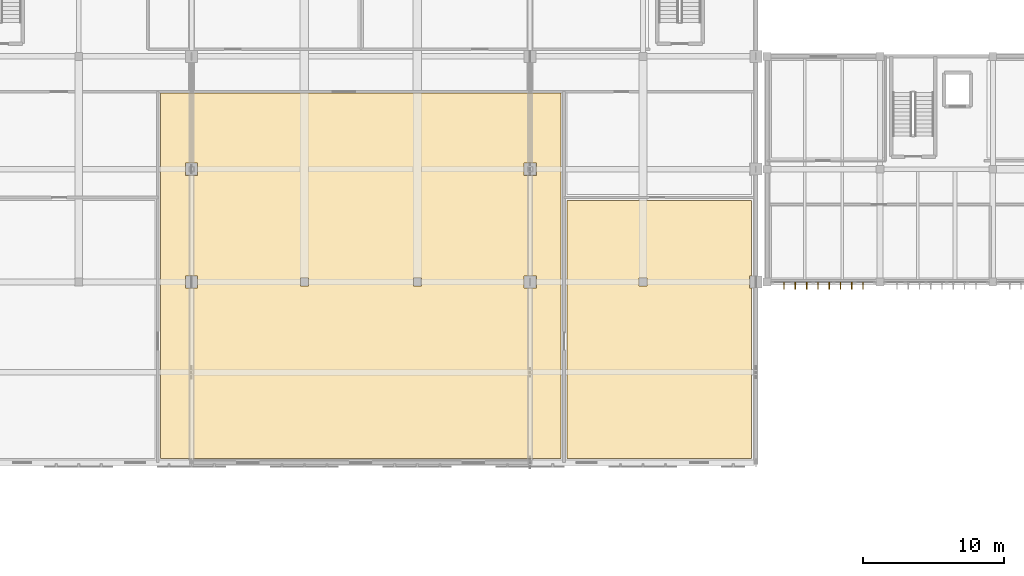
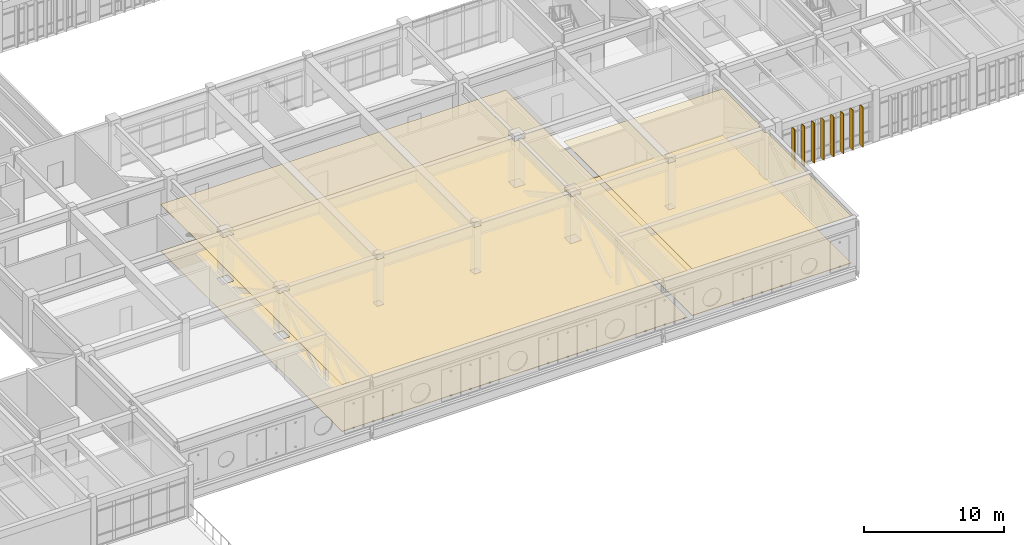
# One storey, part 69 of 79: 8 shading devices, 4 coverings.
"""IFC4 building model written with IfcOpenShell, lengths in metres."""

from ifc_helpers import new_model, si_unit, direction, frame, origin, origin_2d, place, context, subcontext, project, spatial, polyline, rectangle, outline, extrude, material, layer, layer_set, type_object, element, save


model = new_model("IFC4")

# Units and contexts
model_context = context("Model", 3, precision=1e-05, world=origin(), true_north=direction((0.0, 1.0)))
body_context = subcontext(model_context, "Body", "Model", "MODEL_VIEW")
ifc_project = project(units=[si_unit("LENGTHUNIT", "METRE"), si_unit("AREAUNIT", "SQUARE_METRE"), si_unit("VOLUMEUNIT", "CUBIC_METRE"), si_unit("PLANEANGLEUNIT", "RADIAN"), si_unit("MASSUNIT", "GRAM", prefix="KILO")], contexts=[model_context])

# Site, building, storey
site_placement = place(None, origin())
site = spatial("IfcSite", under=ifc_project, at=site_placement, CompositionType="ELEMENT")
building_placement = place(site_placement, origin())
building = spatial("IfcBuilding", under=site, at=building_placement, Name="Tlaxcora Railside Police Headquarters", CompositionType="ELEMENT")
storey_placement = place(building_placement, frame((0.0, 0.0, 9.0)))
storey = spatial("IfcBuildingStorey", under=building, at=storey_placement, Name="L02", CompositionType="ELEMENT", Elevation=9.0)

# Coverings
ifc_material_1 = material(Name="Mineral-fibre acoustic ceiling tile")
ifc_layer_1 = layer(ifc_material_1, 0.034912109375, Name="Mineral-fibre acoustic ceiling tile")
ifc_layer_set_1 = layer_set([ifc_layer_1], Name="Mineral-fibre acoustic ceiling tile")
covering_type_1 = type_object("IfcCoveringType", Name="Acoustic Suspended Ceiling CLG-01", PredefinedType="CEILING", material=ifc_layer_set_1)
covering_1_placement = place(storey_placement, frame((0.0, 0.0, 4.06494140625)))
element("IfcCovering", 1, at=covering_1_placement, inside=storey, type_object=covering_type_1, Name="C5 Metropolitan Command and Control Room suspended ceiling", PredefinedType="CEILING", context=body_context, shape_type="SweptSolid", body=[
    extrude(outline(polyline([(88.199951171875, 23.5), (88.199951171875, 49.39990234375), (59.800048828125, 49.39990234375), (59.800048828125, 23.5), (88.199951171875, 23.5)]), holes=[polyline([(62.43505859375, 36.43505859375), (62.43505859375, 35.56494140625), (61.56494140625, 35.56494140625), (61.56494140625, 36.43505859375), (62.43505859375, 36.43505859375)]), polyline([(62.43505859375, 43.56494140625), (61.56494140625, 43.56494140625), (61.56494140625, 44.43505859375), (62.43505859375, 44.43505859375), (62.43505859375, 43.56494140625)]), polyline([(69.715087890625, 35.715087890625), (69.715087890625, 36.284912109375), (70.284912109375, 36.284912109375), (70.284912109375, 35.715087890625), (69.715087890625, 35.715087890625)]), polyline([(77.715087890625, 36.284912109375), (78.284912109375, 36.284912109375), (78.284912109375, 35.715087890625), (77.715087890625, 35.715087890625), (77.715087890625, 36.284912109375)]), polyline([(86.43505859375, 36.43505859375), (86.43505859375, 35.56494140625), (85.56494140625, 35.56494140625), (85.56494140625, 36.43505859375), (86.43505859375, 36.43505859375)]), polyline([(86.43505859375, 43.56494140625), (85.56494140625, 43.56494140625), (85.56494140625, 44.43505859375), (86.43505859375, 44.43505859375), (86.43505859375, 43.56494140625)])]), origin(), (0.0, 0.0, 1.0), 0.03515625),
])
covering_2_placement = place(storey_placement, frame((0.0, 0.0, 4.06494140625)))
element("IfcCovering", 2, at=covering_2_placement, inside=storey, type_object=covering_type_1, Name="Emergency 911 Call-Taking Dispatch Suite suspended ceiling", PredefinedType="CEILING", context=body_context, shape_type="SweptSolid", body=[
    extrude(outline(polyline([(101.699951171875, 23.5), (101.699951171875, 35.56494140625), (101.56494140625, 35.56494140625), (101.56494140625, 36.43505859375), (101.699951171875, 36.43505859375), (101.699951171875, 41.800048828125), (88.60009765625, 41.800048828125), (88.60009765625, 23.5), (101.699951171875, 23.5)]), holes=[polyline([(94.284912109375, 36.284912109375), (94.284912109375, 35.715087890625), (93.715087890625, 35.715087890625), (93.715087890625, 36.284912109375), (94.284912109375, 36.284912109375)])]), origin(), (0.0, 0.0, 1.0), 0.03515625),
])

# Shading devices
ifc_material_2 = material(Name="Anodised aluminium framing", Category="aluminium")
ifc_layer_2 = layer(ifc_material_2, 0.054931640625, Name="Anodised aluminium framing")
ifc_layer_set_2 = layer_set([ifc_layer_2], Name="Anodised aluminium framing")
shading_device_type = type_object("IfcShadingDeviceType", Name="Solar Control Fin SF-01", PredefinedType="JALOUSIE", material=ifc_layer_set_2)
for number, where, z_axis, x_axis, name in (
    (3, (104.0, 35.739990234375, 0.0400390625), (0.0, 0.0, 1.0), (0.0, -1.0, 0.0), "Vertical solar fin 968"),
    (4, (104.800048828125, 35.739990234375, 0.0400390625), (0.0, 0.0, 1.0), (0.0, -1.0, 0.0), "Vertical solar fin 969"),
    (5, (105.60009765625, 35.739990234375, 0.0400390625), (0.0, 0.0, 1.0), (0.0, -1.0, 0.0), "Vertical solar fin 970"),
    (6, (106.39990234375, 35.739990234375, 0.0400390625), (0.0, 0.0, 1.0), (0.0, -1.0, 0.0), "Vertical solar fin 971"),
    (7, (107.199951171875, 35.739990234375, 0.0400390625), (0.0, 0.0, 1.0), (0.0, -1.0, 0.0), "Vertical solar fin 972"),
    (8, (108.0, 35.739990234375, 0.0400390625), (0.0, 0.0, 1.0), (0.0, -1.0, 0.0), "Vertical solar fin 973"),
    (9, (108.800048828125, 35.739990234375, 0.0400390625), (0.0, 0.0, 1.0), (0.0, -1.0, 0.0), "Vertical solar fin 974"),
    (10, (109.60009765625, 35.739990234375, 0.0400390625), (0.0, 0.0, 1.0), (0.0, -1.0, 0.0), "Vertical solar fin 975"),
):
    element("IfcShadingDevice", number, at=place(storey_placement, frame(where, z_axis=z_axis, x_axis=x_axis)), inside=storey, type_object=shading_device_type, Name=name, PredefinedType="JALOUSIE", context=body_context, shape_type="SweptSolid", body=[
        extrude(rectangle(XDim=0.47998046875, YDim=0.054931640625, at=origin_2d()), origin(), (0.0, 0.0, 1.0), 3.489990234375),
    ])

# Coverings
ifc_material_3 = material(Name="Heavy-duty resin and raised-access technical flooring")
ifc_layer_3 = layer(ifc_material_3, 0.0400390625, Name="Heavy-duty resin and raised-access technical flooring")
ifc_layer_set_3 = layer_set([ifc_layer_3], Name="Heavy-duty resin and raised-access technical flooring")
covering_type_2 = type_object("IfcCoveringType", Name="Technical Raised Access Flooring FLR-01", PredefinedType="FLOORING", material=ifc_layer_set_3)
covering_3_placement = place(storey_placement, origin())
element("IfcCovering", 11, at=covering_3_placement, inside=storey, type_object=covering_type_2, Name="C5 Metropolitan Command and Control Room technical floor finish", PredefinedType="FLOORING", context=body_context, shape_type="SweptSolid", body=[
    extrude(outline(polyline([(88.199951171875, 23.5), (88.199951171875, 49.39990234375), (59.800048828125, 49.39990234375), (59.800048828125, 23.5), (88.199951171875, 23.5)]), holes=[polyline([(62.43505859375, 36.43505859375), (62.43505859375, 35.56494140625), (61.56494140625, 35.56494140625), (61.56494140625, 36.43505859375), (62.43505859375, 36.43505859375)]), polyline([(62.43505859375, 43.56494140625), (61.56494140625, 43.56494140625), (61.56494140625, 44.43505859375), (62.43505859375, 44.43505859375), (62.43505859375, 43.56494140625)]), polyline([(69.715087890625, 35.715087890625), (69.715087890625, 36.284912109375), (70.284912109375, 36.284912109375), (70.284912109375, 35.715087890625), (69.715087890625, 35.715087890625)]), polyline([(77.715087890625, 36.284912109375), (78.284912109375, 36.284912109375), (78.284912109375, 35.715087890625), (77.715087890625, 35.715087890625), (77.715087890625, 36.284912109375)]), polyline([(86.43505859375, 36.43505859375), (86.43505859375, 35.56494140625), (85.56494140625, 35.56494140625), (85.56494140625, 36.43505859375), (86.43505859375, 36.43505859375)]), polyline([(86.43505859375, 43.56494140625), (85.56494140625, 43.56494140625), (85.56494140625, 44.43505859375), (86.43505859375, 44.43505859375), (86.43505859375, 43.56494140625)])]), origin(), (0.0, 0.0, 1.0), 0.0400390625),
])
covering_4_placement = place(storey_placement, origin())
element("IfcCovering", 12, at=covering_4_placement, inside=storey, type_object=covering_type_2, Name="Emergency 911 Call-Taking Dispatch Suite technical floor finish", PredefinedType="FLOORING", context=body_context, shape_type="SweptSolid", body=[
    extrude(outline(polyline([(101.699951171875, 23.5), (101.699951171875, 35.56494140625), (101.56494140625, 35.56494140625), (101.56494140625, 36.43505859375), (101.699951171875, 36.43505859375), (101.699951171875, 41.800048828125), (88.60009765625, 41.800048828125), (88.60009765625, 23.5), (101.699951171875, 23.5)]), holes=[polyline([(94.284912109375, 36.284912109375), (94.284912109375, 35.715087890625), (93.715087890625, 35.715087890625), (93.715087890625, 36.284912109375), (94.284912109375, 36.284912109375)])]), origin(), (0.0, 0.0, 1.0), 0.0400390625),
])

save(model, "model.ifc")
